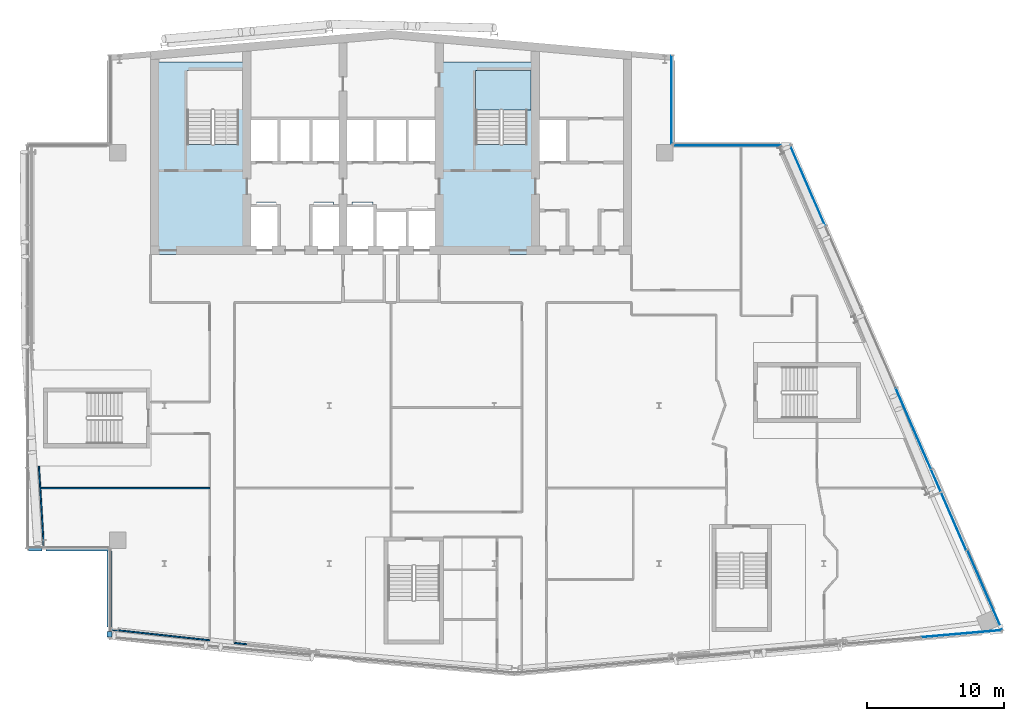
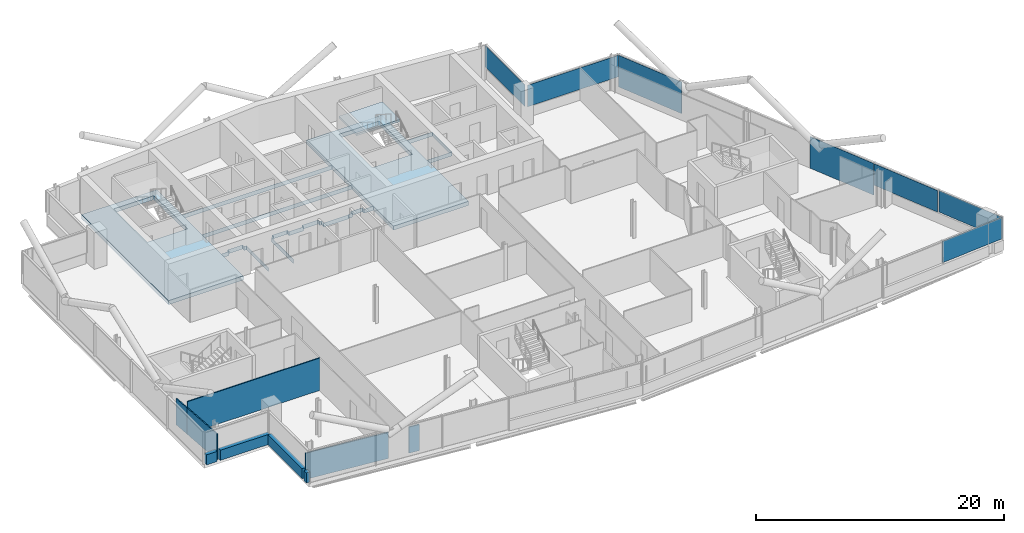
# One storey, part 14 of 28: 9 walls, 7 plates, 2 slabs, 5 elements without a shape of their own.
"""IFC4 building model written with IfcOpenShell, lengths in metres."""

import ifcopenshell
import ifcopenshell.guid

model = None  # the IFC model being written
_history = None  # IfcOwnerHistory: only IFC2X3 demands one
_inside = {}  # id of a spatial element -> (the spatial element, [elements in it])
_under = {}  # id of a project, library or spatial element -> (it, [spatial elements below it])
_declared = {}  # id of a project -> (the project, [libraries it declares])
_typed = {}  # id of a type object -> (the type object, [elements of that type])
_made_of = {}  # id of a material, layer set ... -> (it, [elements and type objects made of it])


def new_model(schema):
    """Start an empty IFC model of exactly this schema.

    Asked for "IFC4X3", IfcOpenShell would pick the latest addendum, in which some entities
    have other attributes; the version numbers below select the first issue.
    IFC2X3 requires an IfcOwnerHistory on every rooted entity: one is made here for all.
    """
    global model, _history
    if schema == "IFC4X3":
        model = ifcopenshell.file(schema_version=(4, 3, 0, 0))
    else:
        model = ifcopenshell.file(schema=schema)
    _inside.clear()
    _under.clear()
    _declared.clear()
    _typed.clear()
    _made_of.clear()
    _history = None
    if model.schema == "IFC2X3":
        org = make("IfcOrganization", Name="unknown")
        user = make(
            "IfcPersonAndOrganization",
            ThePerson=make("IfcPerson", FamilyName="unknown"),
            TheOrganization=org,
        )
        app = make(
            "IfcApplication",
            ApplicationDeveloper=org,
            Version="unknown",
            ApplicationFullName="unknown",
            ApplicationIdentifier="unknown",
        )
        _history = make(
            "IfcOwnerHistory",
            OwningUser=user,
            OwningApplication=app,
            ChangeAction="ADDED",
            CreationDate=0,
        )
    return model


def make(cls, **values):
    """One entity of the class cls with the attributes given. An attribute that is None is left unset."""
    return model.create_entity(
        cls, **{name: value for name, value in values.items() if value is not None}
    )


def rooted(cls, **values):
    """An entity with a GlobalId (a new one), such as an element, a storey or a relation."""
    return make(cls, GlobalId=ifcopenshell.guid.new(), OwnerHistory=_history, **values)


def si_unit(unit_type, name, prefix=None):
    """IfcSIUnit, for example si_unit("LENGTHUNIT", "METRE", prefix="MILLI")."""
    return make("IfcSIUnit", UnitType=unit_type, Prefix=prefix, Name=name)


def assignment(units):
    """IfcUnitAssignment: the units of a project."""
    return None if units is None else make("IfcUnitAssignment", Units=units)


def point(xyz):
    """IfcCartesianPoint."""
    return None if xyz is None else make("IfcCartesianPoint", Coordinates=xyz)


def direction(xyz):
    """IfcDirection."""
    return None if xyz is None else make("IfcDirection", DirectionRatios=xyz)


def frame(location, z_axis=None, x_axis=None):
    """IfcAxis2Placement3D, a coordinate frame: its origin and axes. An axis left out is left unset."""
    return make(
        "IfcAxis2Placement3D",
        Location=point(location),
        Axis=direction(z_axis),
        RefDirection=direction(x_axis),
    )


def frame_2d(location, x_axis=None):
    """IfcAxis2Placement2D, a coordinate frame in the plane: its origin and x axis."""
    return make(
        "IfcAxis2Placement2D", Location=point(location), RefDirection=direction(x_axis)
    )


def origin():
    """The frame at (0, 0, 0) with its axes left unset."""
    return frame((0.0, 0.0, 0.0))


def origin_2d():
    """The frame at (0, 0) in the plane with its x axis left unset."""
    return frame_2d((0.0, 0.0))


def place(relative_to, where):
    """IfcLocalPlacement: puts the frame where relative to a parent placement (None: the world)."""
    return make(
        "IfcLocalPlacement", PlacementRelTo=relative_to, RelativePlacement=where
    )


def context(
    kind, dimensions, precision=None, world=None, true_north=None, identifier=None
):
    """IfcGeometricRepresentationContext, for example the 3D "Model" context."""
    return make(
        "IfcGeometricRepresentationContext",
        ContextIdentifier=identifier,
        ContextType=kind,
        CoordinateSpaceDimension=dimensions,
        Precision=precision,
        WorldCoordinateSystem=world,
        TrueNorth=true_north,
    )


def subcontext(parent, identifier, kind, view, scale=None):
    """IfcGeometricRepresentationSubContext, for example "Body" below "Model"."""
    return make(
        "IfcGeometricRepresentationSubContext",
        ContextIdentifier=identifier,
        ContextType=kind,
        ParentContext=parent,
        TargetScale=scale,
        TargetView=view,
    )


def project(units=None, contexts=None):
    """IfcProject with its units and contexts."""
    return rooted(
        "IfcProject",
        Name="project",
        RepresentationContexts=contexts,
        UnitsInContext=assignment(units),
    )


def spatial(cls, under=None, at=None, **own):
    """A site, building, storey or space (cls), placed at a placement, below another one or the project."""
    s = rooted(cls, ObjectPlacement=at, **own)
    if under is not None:
        _under.setdefault(under.id(), (under, []))[1].append(s)
    return s


def polyline(points):
    """IfcPolyline through the points."""
    return make("IfcPolyline", Points=[point(p) for p in points])


def profile(cls, at=None, kind="AREA", **sizes):
    """A parametric profile (cls). Its sizes go by their IFC names, for example OverallWidth=200.0."""
    return make(cls, ProfileType=kind, Position=at, **sizes)


def rectangle(**sizes):
    """IfcRectangleProfileDef."""
    return profile("IfcRectangleProfileDef", **sizes)


def outline(outer, holes=None, kind="AREA"):
    """IfcArbitraryClosedProfileDef: a profile drawn as a closed curve; with holes, ...WithVoids."""
    if holes is None:
        return make("IfcArbitraryClosedProfileDef", ProfileType=kind, OuterCurve=outer)
    return make(
        "IfcArbitraryProfileDefWithVoids",
        ProfileType=kind,
        OuterCurve=outer,
        InnerCurves=holes,
    )


def extrude(swept, where, along, depth):
    """IfcExtrudedAreaSolid: the profile swept, set in the frame where, extruded along a direction by depth."""
    return make(
        "IfcExtrudedAreaSolid",
        SweptArea=swept,
        Position=where,
        ExtrudedDirection=direction(along),
        Depth=depth,
    )


def shape(context_of_items, identifier, shape_type, items):
    """IfcShapeRepresentation: the items that make up one representation, for example the "Body"."""
    return make(
        "IfcShapeRepresentation",
        ContextOfItems=context_of_items,
        RepresentationIdentifier=identifier,
        RepresentationType=shape_type,
        Items=items,
    )


def material(Name=None, Category=None):
    """IfcMaterial."""
    return make("IfcMaterial", Name=Name, Category=Category)


def layer(
    of_material, thickness, ventilated=None, Name=None, Category=None, Priority=None
):
    """IfcMaterialLayer: one layer of a wall or slab, of a material (None: an air gap)."""
    return make(
        "IfcMaterialLayer",
        Material=of_material,
        LayerThickness=thickness,
        IsVentilated=ventilated,
        Name=Name,
        Category=Category,
        Priority=Priority,
    )


def layer_set(layers, Name=None):
    """IfcMaterialLayerSet."""
    return make("IfcMaterialLayerSet", MaterialLayers=layers, LayerSetName=Name)


def made_of(thing, what):
    """Note that an element or type object is made of a material, layer set ...; save() writes the relation."""
    if what is not None:
        _made_of.setdefault(what.id(), (what, []))[1].append(thing)
    return thing


def type_object(cls, material=None, **own):
    """A type object (cls), such as IfcWallType, which elements share."""
    return made_of(rooted(cls, **own), material)


def element(
    cls,
    number,
    at=None,
    inside=None,
    cuts=None,
    type_object=None,
    material=None,
    context=None,
    identifier="Body",
    shape_type=None,
    held_by="IfcProductDefinitionShape",
    body=None,
    shapes=None,
    **own,
):
    """One element of the class cls, such as IfcWall. Its Tag is "e" and its number.

    at: its placement. inside: the storey or other place that contains it. cuts: it is an
    opening in that element (IfcRelVoidsElement). A single representation is given by context,
    identifier, shape_type and body (its items); several are given by shapes. held_by: the class
    of the entity that holds the representations. save() writes the other relations.
    """
    e = rooted(cls, Tag="e%d" % number, ObjectPlacement=at, **own)
    if body is not None:
        shapes = [shape(context, identifier, shape_type, body)]
    if shapes is not None:
        e.Representation = make(held_by, Representations=shapes)
    if inside is not None:
        _inside.setdefault(inside.id(), (inside, []))[1].append(e)
    if cuts is not None:
        rooted(
            "IfcRelVoidsElement", RelatingBuildingElement=cuts, RelatedOpeningElement=e
        )
    if type_object is not None:
        _typed.setdefault(type_object.id(), (type_object, []))[1].append(e)
    return made_of(e, material)


def aggregate(whole, parts):
    """IfcRelAggregates: a whole, such as a stair, and the parts it consists of."""
    return rooted("IfcRelAggregates", RelatingObject=whole, RelatedObjects=parts)


def save(model, path):
    """Write the relations noted so far, then the file.

    IfcRelAggregates (storeys below a building ...), IfcRelContainedInSpatialStructure (elements
    in a storey), IfcRelDefinesByType, IfcRelAssociatesMaterial and IfcRelDeclares: one each for
    every whole, place, type object, material and project.
    """
    for whole, parts in _under.values():
        aggregate(whole, parts)
    for where, things in _inside.values():
        rooted(
            "IfcRelContainedInSpatialStructure",
            RelatedElements=things,
            RelatingStructure=where,
        )
    for kind, things in _typed.values():
        rooted("IfcRelDefinesByType", RelatedObjects=things, RelatingType=kind)
    for what, things in _made_of.values():
        rooted("IfcRelAssociatesMaterial", RelatedObjects=things, RelatingMaterial=what)
    for by, libraries in _declared.values():
        rooted("IfcRelDeclares", RelatingContext=by, RelatedDefinitions=libraries)
    model.write(path)


model = new_model("IFC4")

# Units and contexts
model_context = context("Model", 3, precision=1e-05, world=origin(), true_north=direction((0.0, 1.0)))
body_context = subcontext(model_context, "Body", "Model", "MODEL_VIEW")
ifc_project = project(units=[si_unit("LENGTHUNIT", "METRE"), si_unit("AREAUNIT", "SQUARE_METRE"), si_unit("VOLUMEUNIT", "CUBIC_METRE"), si_unit("PLANEANGLEUNIT", "RADIAN"), si_unit("MASSUNIT", "GRAM", prefix="KILO")], contexts=[model_context])

# Site, building, storey
site_placement = place(None, origin())
site = spatial("IfcSite", under=ifc_project, at=site_placement, CompositionType="ELEMENT")
building_placement = place(site_placement, origin())
building = spatial("IfcBuilding", under=site, at=building_placement, Name="Wharfspan Tower", CompositionType="ELEMENT")
storey_placement = place(building_placement, frame((0.0, 0.0, 253.899902)))
storey = spatial("IfcBuildingStorey", under=building, at=storey_placement, Name="L64", CompositionType="ELEMENT", Elevation=253.899902)

# Curtain wall, plate
ifc_material_1 = material(Name="Aluminium 6063-T6", Category="aluminium")
curtain_wall_type_1 = type_object("IfcCurtainWallType", Name="CURTAIN WALL FACETED FRONT", PredefinedType="NOTDEFINED", material=ifc_material_1)
curtain_wall_1_placement = place(storey_placement, origin())
curtain_wall_1 = element("IfcCurtainWall", 1, at=curtain_wall_1_placement, inside=storey, type_object=curtain_wall_type_1, Name="Curtain wall S2", PredefinedType="NOTDEFINED")
ifc_material_2 = material(Name="Glass clear low-iron double glazing", Category="glass")
ifc_layer_1 = layer(ifc_material_2, 0.040039)
ifc_layer_set_1 = layer_set([ifc_layer_1], Name="Glass clear low-iron double glazing")
plate_type_1 = type_object("IfcPlateType", Name="GLASS PANEL FACETED FRONT 40", PredefinedType="CURTAIN_PANEL", material=ifc_layer_set_1)
plate_1_placement = place(storey_placement, frame((82.021484, 6.399658, 1.0), z_axis=(0.0, 0.0, 1.0), x_axis=(0.996197, 0.087156, 0.0)))
plate_1 = element("IfcPlate", 2, at=plate_1_placement, type_object=plate_type_1, Name="Curtain wall S2 panel 6", PredefinedType="CURTAIN_PANEL", context=body_context, shape_type="SweptSolid", body=[
    extrude(rectangle(XDim=5.849365, YDim=0.040039, at=origin_2d()), origin(), (0.0, 0.0, 1.0), 2.120117),
])
aggregate(curtain_wall_1, [plate_1])

# Curtain wall, plates
curtain_wall_type_2 = type_object("IfcCurtainWallType", Name="CURTAIN WALL PROW AND END", PredefinedType="NOTDEFINED", material=ifc_material_1)
curtain_wall_2_placement = place(storey_placement, origin())
curtain_wall_2 = element("IfcCurtainWall", 3, at=curtain_wall_2_placement, inside=storey, type_object=curtain_wall_type_2, Name="Curtain wall E", PredefinedType="NOTDEFINED")
ifc_layer_2 = layer(ifc_material_2, 0.040039)
ifc_layer_set_2 = layer_set([ifc_layer_2], Name="Glass clear low-iron double glazing")
plate_type_2 = type_object("IfcPlateType", Name="GLASS PANEL PROW AND END 40", PredefinedType="CURTAIN_PANEL", material=ifc_layer_set_2)
plate_2_placement = place(storey_placement, frame((83.711426, 9.563721, 1.0), z_axis=(0.0, 0.0, 1.0), x_axis=(-0.398727, 0.917072, 0.0)))
plate_2 = element("IfcPlate", 4, at=plate_2_placement, type_object=plate_type_2, Name="Curtain wall E panel 1", PredefinedType="CURTAIN_PANEL", context=body_context, shape_type="SweptSolid", body=[
    extrude(rectangle(XDim=6.343506, YDim=0.040039, at=origin_2d()), origin(), (0.0, 0.0, 1.0), 2.120117),
])
plate_3_placement = place(storey_placement, frame((81.078857, 15.418213, 1.0), z_axis=(0.0, 0.0, 1.0), x_axis=(-0.398727, 0.917072, 0.0)))
plate_3 = element("IfcPlate", 5, at=plate_3_placement, type_object=plate_type_2, Name="Curtain wall E panel 2", PredefinedType="CURTAIN_PANEL", context=body_context, shape_type="SweptSolid", body=[
    extrude(rectangle(XDim=6.373535, YDim=0.040039, at=origin_2d()), origin(), (0.0, 0.0, 1.0), 2.120117),
])

# Curtain wall, plate
curtain_wall_3_placement = place(storey_placement, origin())
curtain_wall_3 = element("IfcCurtainWall", 6, at=curtain_wall_3_placement, inside=storey, type_object=curtain_wall_type_2, Name="Curtain wall NRE-H", PredefinedType="NOTDEFINED")
plate_4_placement = place(storey_placement, frame((65.304443, 41.919922, 1.0), z_axis=(0.0, 0.0, 1.0), x_axis=(-1.0, 0.0, 0.0)))
plate_4 = element("IfcPlate", 7, at=plate_4_placement, type_object=plate_type_2, Name="Curtain wall NRE-H panel 1", PredefinedType="CURTAIN_PANEL", context=body_context, shape_type="SweptSolid", body=[
    extrude(rectangle(XDim=8.48877, YDim=0.040039, at=origin_2d()), origin(), (0.0, 0.0, 1.0), 2.120117),
])
aggregate(curtain_wall_3, [plate_4])

curtain_wall_4_placement = place(storey_placement, origin())
curtain_wall_4 = element("IfcCurtainWall", 8, at=curtain_wall_4_placement, inside=storey, type_object=curtain_wall_type_2, Name="Curtain wall NRE-V", PredefinedType="NOTDEFINED")
plate_5_placement = place(storey_placement, frame((60.919922, 45.262451, 1.0), z_axis=(0.0, 0.0, 1.0), x_axis=(0.0, 1.0, 0.0)))
plate_5 = element("IfcPlate", 9, at=plate_5_placement, type_object=plate_type_2, Name="Curtain wall NRE-V panel 1", PredefinedType="CURTAIN_PANEL", context=body_context, shape_type="SweptSolid", body=[
    extrude(rectangle(XDim=6.405029, YDim=0.040039, at=origin_2d()), origin(), (0.0, 0.0, 1.0), 2.120117),
])
aggregate(curtain_wall_4, [plate_5])

# Plate
ifc_material_3 = material(Name="Aluminium composite opaque insulated panel", Category="aluminium")
ifc_layer_3 = layer(ifc_material_3, 0.040039)
ifc_layer_set_3 = layer_set([ifc_layer_3], Name="Aluminium composite opaque insulated panel")
plate_type_3 = type_object("IfcPlateType", Name="INFILL PANEL PROW AND END OPAQUE 40", PredefinedType="SHEET", material=ifc_layer_set_3)
plate_6_placement = place(storey_placement, frame((78.513672, 21.318115, 0.0), z_axis=(0.0, 0.0, 1.0), x_axis=(-0.398727, 0.917072, 0.0)))
plate_6 = element("IfcPlate", 10, at=plate_6_placement, type_object=plate_type_3, Name="Curtain wall E panel 3", PredefinedType="SHEET", context=body_context, shape_type="SweptSolid", body=[
    extrude(rectangle(XDim=6.373535, YDim=0.040039, at=origin_2d()), origin(), (0.0, 0.0, 1.0), 3.120117),
])

plate_7_placement = place(storey_placement, frame((70.823975, 39.004395, 0.0), z_axis=(0.0, 0.0, 1.0), x_axis=(-0.398727, 0.917072, 0.0)))
plate_7 = element("IfcPlate", 11, at=plate_7_placement, type_object=plate_type_3, Name="Curtain wall E panel 6", PredefinedType="SHEET", context=body_context, shape_type="SweptSolid", body=[
    extrude(rectangle(XDim=6.343506, YDim=0.040039, at=origin_2d()), origin(), (0.0, 0.0, 1.0), 3.120117),
])

aggregate(curtain_wall_2, [plate_2, plate_3, plate_6, plate_7])

# Slab
ifc_material_4 = material(Name="Concrete C40/50", Category="concrete")
ifc_layer_4 = layer(ifc_material_4, 0.399902)
ifc_layer_set_4 = layer_set([ifc_layer_4], Name="Concrete C40/50")
slab_type_1 = type_object("IfcSlabType", Name="Post-tensioned flat slab 400", PredefinedType="FLOOR", material=ifc_layer_set_4)
slab_1_placement = place(storey_placement, frame((0.0, 0.0, -0.400146)))
element("IfcSlab", 12, at=slab_1_placement, inside=storey, type_object=slab_type_1, Name="Core floor slab L64 part 2", PredefinedType="FLOOR", context=body_context, shape_type="SweptSolid", body=[
    extrude(outline(polyline([(23.0, 34.0), (29.998047, 34.0), (29.998047, 37.550049), (29.998047, 37.550293), (29.998047, 37.550293), (29.998047, 37.550537), (29.998291, 37.550781), (29.998291, 37.550781), (29.998291, 37.551025), (29.998535, 37.55127), (29.998535, 37.551514), (29.998779, 37.551514), (29.998779, 37.551758), (29.999023, 37.551758), (29.999268, 37.551758), (29.999512, 37.552002), (29.999512, 37.552002), (29.999756, 37.552002), (30.0, 37.552002), (30.7146, 37.552002), (30.7146, 37.800049), (30.7146, 37.800293), (30.7146, 37.800293), (30.714844, 37.800537), (30.714844, 37.800781), (30.714844, 37.800781), (30.715088, 37.801025), (30.715088, 37.80127), (30.715332, 37.801514), (30.715332, 37.801514), (30.715576, 37.801758), (30.71582, 37.801758), (30.71582, 37.801758), (30.716064, 37.802002), (30.716309, 37.802002), (30.716553, 37.802002), (30.716797, 37.802002), (32.116699, 37.802002), (32.116943, 37.802002), (32.117188, 37.802002), (32.117188, 37.802002), (32.117432, 37.801758), (32.117676, 37.801758), (32.11792, 37.801758), (32.11792, 37.801514), (32.118164, 37.801514), (32.118164, 37.80127), (32.118408, 37.801025), (32.118408, 37.800781), (32.118408, 37.800781), (32.118652, 37.800537), (32.118652, 37.800293), (32.118652, 37.800293), (32.118652, 37.800049), (32.118652, 37.552002), (32.333252, 37.552002), (32.333496, 37.552002), (32.33374, 37.552002), (32.333984, 37.552002), (32.333984, 37.551758), (32.334229, 37.551758), (32.334473, 37.551758), (32.334717, 37.551514), (32.334717, 37.551514), (32.334961, 37.55127), (32.334961, 37.551025), (32.335205, 37.550781), (32.335205, 37.550781), (32.335205, 37.550537), (32.335205, 37.550293), (32.335205, 37.550293), (32.335205, 37.550049), (32.335205, 34.0), (32.341309, 34.0), (32.341309, 37.558105), (32.126709, 37.558105), (32.126465, 37.558105), (32.126221, 37.558105), (32.126221, 37.558105), (32.125977, 37.558105), (32.125732, 37.558105), (32.125488, 37.55835), (32.125488, 37.558594), (32.125244, 37.558594), (32.125244, 37.558594), (32.125, 37.558838), (32.125, 37.559082), (32.125, 37.559082), (32.124756, 37.559326), (32.124756, 37.55957), (32.124756, 37.559814), (32.124756, 37.560059), (32.124756, 37.808105), (30.70874, 37.808105), (30.70874, 37.560059), (30.70874, 37.559814), (30.70874, 37.55957), (30.708496, 37.559326), (30.708496, 37.559082), (30.708496, 37.559082), (30.708496, 37.558838), (30.708252, 37.558594), (30.708008, 37.558594), (30.708008, 37.558594), (30.707764, 37.55835), (30.70752, 37.558105), (30.70752, 37.558105), (30.707275, 37.558105), (30.707031, 37.558105), (30.706787, 37.558105), (30.706787, 37.558105), (30.01001, 37.558105), (30.009766, 37.558105), (30.009521, 37.558105), (30.009521, 37.558105), (30.009277, 37.558105), (30.009033, 37.558105), (30.008789, 37.55835), (30.008789, 37.558594), (30.008545, 37.558594), (30.008545, 37.558594), (30.008301, 37.558838), (30.008301, 37.559082), (30.008301, 37.559082), (30.008057, 37.559326), (30.008057, 37.55957), (30.008057, 37.559814), (30.008057, 37.560059), (30.008057, 40.689941), (30.008057, 40.690186), (30.008057, 40.69043), (30.008057, 40.690674), (30.008301, 40.690918), (30.008301, 40.690918), (30.008301, 40.691162), (30.008545, 40.691406), (30.008545, 40.691406), (30.008789, 40.691406), (30.008789, 40.69165), (30.009033, 40.691895), (30.009277, 40.691895), (30.009521, 40.691895), (30.009521, 40.691895), (30.009766, 40.691895), (30.01001, 40.691895), (43.98999, 40.691895), (43.990234, 40.691895), (43.990479, 40.691895), (43.990479, 40.691895), (43.990723, 40.691895), (43.990967, 40.691895), (43.991211, 40.69165), (43.991211, 40.691406), (43.991455, 40.691406), (43.991455, 40.691406), (43.991699, 40.691162), (43.991699, 40.690918), (43.991699, 40.690918), (43.991943, 40.690674), (43.991943, 40.69043), (43.991943, 40.690186), (43.991943, 40.689941), (43.991943, 37.26001), (43.991943, 37.259766), (43.991943, 37.259521), (43.991943, 37.259521), (43.991699, 37.259277), (43.991699, 37.259033), (43.991699, 37.258789), (43.991455, 37.258789), (43.991455, 37.258545), (43.991211, 37.258545), (43.991211, 37.258301), (43.990967, 37.258301), (43.990723, 37.258301), (43.990479, 37.258057), (43.990479, 37.258057), (43.990234, 37.258057), (43.98999, 37.258057), (43.143311, 37.258057), (43.143066, 37.258057), (43.142822, 37.258057), (43.142578, 37.258057), (43.142578, 37.258301), (43.142334, 37.258301), (43.14209, 37.258301), (43.14209, 37.258545), (43.141846, 37.258545), (43.141846, 37.258789), (43.141602, 37.258789), (43.141602, 37.259033), (43.141602, 37.259277), (43.141357, 37.259521), (43.141357, 37.259521), (43.141357, 37.259766), (43.141357, 37.26001), (43.141357, 37.508057), (42.025391, 37.508057), (42.025391, 37.26001), (42.025391, 37.259766), (42.025391, 37.259521), (42.025146, 37.259521), (42.025146, 37.259277), (42.025146, 37.259033), (42.024902, 37.258789), (42.024902, 37.258789), (42.024658, 37.258545), (42.024658, 37.258545), (42.024414, 37.258301), (42.02417, 37.258301), (42.02417, 37.258301), (42.023926, 37.258057), (42.023682, 37.258057), (42.023438, 37.258057), (42.023193, 37.258057), (41.658691, 37.258057), (41.658691, 37.209961), (41.658691, 37.209717), (41.658691, 37.209717), (41.658691, 37.209473), (41.658447, 37.209229), (41.658447, 37.208984), (41.658447, 37.208984), (41.658203, 37.20874), (41.658203, 37.208496), (41.657959, 37.208496), (41.657715, 37.208252), (41.657715, 37.208252), (41.657471, 37.208252), (41.657227, 37.208008), (41.656982, 37.208008), (41.656982, 37.208008), (41.656738, 37.208008), (39.343262, 37.208008), (39.343018, 37.208008), (39.343018, 37.208008), (39.342773, 37.208008), (39.342529, 37.208252), (39.342285, 37.208252), (39.342285, 37.208252), (39.342041, 37.208496), (39.341797, 37.208496), (39.341797, 37.20874), (39.341553, 37.208984), (39.341553, 37.208984), (39.341553, 37.209229), (39.341309, 37.209473), (39.341309, 37.209717), (39.341309, 37.209717), (39.341309, 37.209961), (39.341309, 37.558105), (39.166748, 37.558105), (39.166504, 37.558105), (39.16626, 37.558105), (39.166016, 37.558105), (39.166016, 37.558105), (39.165771, 37.558105), (39.165527, 37.55835), (39.165283, 37.558594), (39.165283, 37.558594), (39.165283, 37.558594), (39.165039, 37.558838), (39.164795, 37.559082), (39.164795, 37.559082), (39.164795, 37.559326), (39.164795, 37.55957), (39.164795, 37.559814), (39.164795, 37.560059), (39.164795, 37.808105), (37.668701, 37.808105), (37.668701, 37.560059), (37.668701, 37.559814), (37.668701, 37.55957), (37.668701, 37.559326), (37.668457, 37.559082), (37.668457, 37.559082), (37.668457, 37.558838), (37.668213, 37.558594), (37.668213, 37.558594), (37.667969, 37.558594), (37.667725, 37.55835), (37.66748, 37.558105), (37.66748, 37.558105), (37.667236, 37.558105), (37.666992, 37.558105), (37.666992, 37.558105), (37.666748, 37.558105), (36.293213, 37.558105), (36.293213, 37.558105), (36.292969, 37.558105), (36.292725, 37.558105), (36.29248, 37.558105), (36.29248, 37.558105), (36.292236, 37.55835), (36.291992, 37.558594), (36.291992, 37.558594), (36.291748, 37.558594), (36.291504, 37.558838), (36.291504, 37.559082), (36.291504, 37.559082), (36.291504, 37.559326), (36.29126, 37.55957), (36.29126, 37.559814), (36.29126, 37.560059), (36.29126, 37.808105), (34.875244, 37.808105), (34.875244, 37.560059), (34.875244, 37.559814), (34.875244, 37.55957), (34.875244, 37.559326), (34.875, 37.559082), (34.875, 37.559082), (34.875, 37.558838), (34.874756, 37.558594), (34.874756, 37.558594), (34.874512, 37.558594), (34.874512, 37.55835), (34.874268, 37.558105), (34.874023, 37.558105), (34.873779, 37.558105), (34.873779, 37.558105), (34.873535, 37.558105), (34.873291, 37.558105), (34.658691, 37.558105), (34.658691, 34.0), (34.664795, 34.0), (34.664795, 37.550049), (34.664795, 37.550293), (34.664795, 37.550293), (34.664795, 37.550537), (34.664795, 37.550781), (34.664795, 37.550781), (34.665039, 37.551025), (34.665039, 37.55127), (34.665283, 37.551514), (34.665283, 37.551514), (34.665527, 37.551758), (34.665771, 37.551758), (34.666016, 37.551758), (34.666016, 37.552002), (34.66626, 37.552002), (34.666504, 37.552002), (34.666748, 37.552002), (34.881348, 37.552002), (34.881348, 37.800049), (34.881348, 37.800293), (34.881348, 37.800293), (34.881348, 37.800537), (34.881592, 37.800781), (34.881592, 37.800781), (34.881592, 37.801025), (34.881836, 37.80127), (34.881836, 37.801514), (34.88208, 37.801514), (34.88208, 37.801758), (34.882324, 37.801758), (34.882568, 37.801758), (34.882812, 37.802002), (34.882812, 37.802002), (34.883057, 37.802002), (34.883301, 37.802002), (36.283203, 37.802002), (36.283447, 37.802002), (36.283691, 37.802002), (36.283936, 37.802002), (36.28418, 37.801758), (36.28418, 37.801758), (36.284424, 37.801758), (36.284668, 37.801514), (36.284668, 37.801514), (36.284912, 37.80127), (36.284912, 37.801025), (36.285156, 37.800781), (36.285156, 37.800781), (36.285156, 37.800537), (36.2854, 37.800293), (36.2854, 37.800293), (36.2854, 37.800049), (36.2854, 37.552002), (37.674805, 37.552002), (37.674805, 37.800049), (37.674805, 37.800293), (37.674805, 37.800293), (37.674805, 37.800537), (37.674805, 37.800781), (37.674805, 37.800781), (37.675049, 37.801025), (37.675049, 37.80127), (37.675293, 37.801514), (37.675293, 37.801514), (37.675537, 37.801758), (37.675781, 37.801758), (37.675781, 37.801758), (37.676025, 37.802002), (37.67627, 37.802002), (37.676514, 37.802002), (37.676758, 37.802002), (39.156738, 37.802002), (39.156982, 37.802002), (39.156982, 37.802002), (39.157227, 37.802002), (39.157471, 37.801758), (39.157715, 37.801758), (39.157715, 37.801758), (39.157959, 37.801514), (39.158203, 37.801514), (39.158203, 37.80127), (39.158203, 37.801025), (39.158447, 37.800781), (39.158447, 37.800781), (39.158691, 37.800537), (39.158691, 37.800293), (39.158691, 37.800293), (39.158691, 37.800049), (39.158691, 37.552002), (39.333252, 37.552002), (39.333496, 37.552002), (39.33374, 37.552002), (39.333984, 37.552002), (39.333984, 37.551758), (39.334229, 37.551758), (39.334473, 37.551758), (39.334717, 37.551514), (39.334717, 37.551514), (39.334961, 37.55127), (39.334961, 37.551025), (39.335205, 37.550781), (39.335205, 37.550781), (39.335205, 37.550537), (39.335205, 37.550293), (39.335205, 37.550293), (39.335205, 37.550049), (39.335205, 37.201904), (41.664795, 37.201904), (41.664795, 37.25), (41.664795, 37.250244), (41.664795, 37.250488), (41.664795, 37.250488), (41.664795, 37.250732), (41.664795, 37.250977), (41.665039, 37.251221), (41.665039, 37.251221), (41.665283, 37.251465), (41.665283, 37.251465), (41.665527, 37.251709), (41.665771, 37.251709), (41.666016, 37.251709), (41.666016, 37.251953), (41.66626, 37.251953), (41.666504, 37.251953), (41.666748, 37.251953), (42.03125, 37.251953), (42.03125, 37.5), (42.03125, 37.500244), (42.031494, 37.500488), (42.031494, 37.500488), (42.031494, 37.500732), (42.031494, 37.500977), (42.031738, 37.501221), (42.031738, 37.501221), (42.031982, 37.501465), (42.031982, 37.501465), (42.032227, 37.501709), (42.032471, 37.501709), (42.032715, 37.501709), (42.032715, 37.501953), (42.032959, 37.501953), (42.033203, 37.501953), (42.033203, 37.501953), (43.133301, 37.501953), (43.133545, 37.501953), (43.133789, 37.501953), (43.133789, 37.501953), (43.134033, 37.501709), (43.134277, 37.501709), (43.134521, 37.501709), (43.134521, 37.501465), (43.134766, 37.501465), (43.13501, 37.501221), (43.13501, 37.501221), (43.13501, 37.500977), (43.135254, 37.500732), (43.135254, 37.500488), (43.135254, 37.500488), (43.135254, 37.500244), (43.135254, 37.5), (43.135254, 37.251953), (44.0, 37.251953), (44.000244, 37.251953), (44.000488, 37.251953), (44.000488, 37.251953), (44.000732, 37.251709), (44.000977, 37.251709), (44.001221, 37.251709), (44.001221, 37.251465), (44.001465, 37.251465), (44.001465, 37.251221), (44.001709, 37.251221), (44.001709, 37.250977), (44.001709, 37.250732), (44.001953, 37.250488), (44.001953, 37.250488), (44.001953, 37.250244), (44.001953, 37.25), (44.001953, 34.0), (51.0, 34.0), (51.008057, 34.0), (51.008057, 40.689941), (51.008057, 40.690186), (51.008057, 40.69043), (51.008057, 40.690674), (51.008301, 40.690918), (51.008301, 40.690918), (51.008301, 40.691162), (51.008545, 40.691406), (51.008545, 40.691406), (51.008789, 40.691406), (51.008789, 40.69165), (51.009033, 40.691895), (51.009277, 40.691895), (51.009521, 40.691895), (51.009521, 40.691895), (51.009766, 40.691895), (51.01001, 40.691895), (53.341309, 40.691895), (53.341309, 43.907959), (51.01001, 43.907959), (51.009766, 43.907959), (51.009521, 43.907959), (51.009521, 43.908203), (51.009277, 43.908203), (51.009033, 43.908203), (51.008789, 43.908203), (51.008789, 43.908447), (51.008545, 43.908691), (51.008545, 43.908691), (51.008301, 43.908936), (51.008301, 43.90918), (51.008301, 43.90918), (51.008057, 43.909424), (51.008057, 43.909668), (51.008057, 43.909912), (51.008057, 43.909912), (51.008057, 48.008057), (43.991943, 48.008057), (43.991943, 43.909912), (43.991943, 43.909912), (43.991943, 43.909668), (43.991943, 43.909424), (43.991699, 43.90918), (43.991699, 43.90918), (43.991699, 43.908936), (43.991455, 43.908691), (43.991455, 43.908691), (43.991211, 43.908447), (43.991211, 43.908203), (43.990967, 43.908203), (43.990723, 43.908203), (43.990479, 43.908203), (43.990479, 43.907959), (43.990234, 43.907959), (43.98999, 43.907959), (30.01001, 43.907959), (30.009766, 43.907959), (30.009521, 43.907959), (30.009521, 43.908203), (30.009277, 43.908203), (30.009033, 43.908203), (30.008789, 43.908203), (30.008789, 43.908447), (30.008545, 43.908691), (30.008545, 43.908691), (30.008301, 43.908936), (30.008301, 43.90918), (30.008301, 43.90918), (30.008057, 43.909424), (30.008057, 43.909668), (30.008057, 43.909912), (30.008057, 43.909912), (30.008057, 48.008057), (23.0, 48.008057), (23.0, 48.0), (23.0, 34.0)]), holes=[polyline([(53.333252, 43.9021), (53.333496, 43.9021), (53.33374, 43.9021), (53.333984, 43.901855), (53.333984, 43.901855), (53.334229, 43.901855), (53.334473, 43.901611), (53.334717, 43.901611), (53.334717, 43.901367), (53.334961, 43.901367), (53.334961, 43.901123), (53.335205, 43.900879), (53.335205, 43.900879), (53.335205, 43.900635), (53.335205, 43.900391), (53.335205, 43.900146), (53.335205, 43.899902), (53.335205, 40.699951), (53.335205, 40.699707), (53.335205, 40.699707), (53.335205, 40.699463), (53.335205, 40.699219), (53.335205, 40.699219), (53.334961, 40.698975), (53.334961, 40.69873), (53.334717, 40.698486), (53.334717, 40.698486), (53.334473, 40.698242), (53.334229, 40.698242), (53.333984, 40.698242), (53.333984, 40.697998), (53.33374, 40.697998), (53.333496, 40.697998), (53.333252, 40.697998), (51.0, 40.697998), (50.999756, 40.697998), (50.999512, 40.697998), (50.999512, 40.697998), (50.999268, 40.698242), (50.999023, 40.698242), (50.998779, 40.698242), (50.998779, 40.698486), (50.998535, 40.698486), (50.998535, 40.69873), (50.998291, 40.698975), (50.998291, 40.699219), (50.998291, 40.699219), (50.998047, 40.699463), (50.998047, 40.699707), (50.998047, 40.699707), (50.998047, 40.699951), (50.998047, 43.899902), (50.998047, 43.900146), (50.998047, 43.900391), (50.998047, 43.900635), (50.998291, 43.900879), (50.998291, 43.900879), (50.998291, 43.901123), (50.998535, 43.901367), (50.998535, 43.901367), (50.998779, 43.901611), (50.998779, 43.901611), (50.999023, 43.901855), (50.999268, 43.901855), (50.999512, 43.901855), (50.999512, 43.9021), (50.999756, 43.9021), (51.0, 43.9021), (53.333252, 43.9021)]), polyline([(46.649902, 41.998047), (46.649902, 41.998047), (46.649658, 41.998047), (46.649414, 41.998047), (46.64917, 41.998291), (46.64917, 41.998291), (46.648926, 41.998291), (46.648682, 41.998535), (46.648682, 41.998535), (46.648438, 41.998779), (46.648193, 41.998779), (46.648193, 41.999023), (46.648193, 41.999268), (46.648193, 41.999512), (46.647949, 41.999512), (46.647949, 41.999756), (46.647949, 42.0), (46.647949, 47.399902), (46.647949, 47.400146), (46.647949, 47.400391), (46.648193, 47.400635), (46.648193, 47.400879), (46.648193, 47.400879), (46.648193, 47.401123), (46.648438, 47.401367), (46.648682, 47.401367), (46.648682, 47.401611), (46.648926, 47.401611), (46.64917, 47.401855), (46.64917, 47.401855), (46.649414, 47.401855), (46.649658, 47.4021), (46.649902, 47.4021), (46.649902, 47.4021), (50.399902, 47.4021), (50.400146, 47.4021), (50.400391, 47.4021), (50.400635, 47.401855), (50.400879, 47.401855), (50.400879, 47.401855), (50.401123, 47.401611), (50.401367, 47.401611), (50.401367, 47.401367), (50.401611, 47.401367), (50.401611, 47.401123), (50.401855, 47.400879), (50.401855, 47.400879), (50.401855, 47.400635), (50.4021, 47.400391), (50.4021, 47.400146), (50.4021, 47.399902), (50.4021, 42.0), (50.4021, 41.999756), (50.4021, 41.999512), (50.401855, 41.999512), (50.401855, 41.999268), (50.401855, 41.999023), (50.401611, 41.998779), (50.401611, 41.998779), (50.401367, 41.998535), (50.401367, 41.998535), (50.401123, 41.998291), (50.400879, 41.998291), (50.400879, 41.998291), (50.400635, 41.998047), (50.400391, 41.998047), (50.400146, 41.998047), (50.399902, 41.998047), (46.649902, 41.998047)]), polyline([(44.0, 43.9021), (44.000244, 43.9021), (44.000488, 43.9021), (44.000488, 43.901855), (44.000732, 43.901855), (44.000977, 43.901855), (44.001221, 43.901611), (44.001221, 43.901611), (44.001465, 43.901367), (44.001465, 43.901367), (44.001709, 43.901123), (44.001709, 43.900879), (44.001709, 43.900879), (44.001953, 43.900635), (44.001953, 43.900391), (44.001953, 43.900146), (44.001953, 43.899902), (44.001953, 40.699951), (44.001953, 40.699707), (44.001953, 40.699707), (44.001953, 40.699463), (44.001709, 40.699219), (44.001709, 40.699219), (44.001709, 40.698975), (44.001465, 40.69873), (44.001465, 40.698486), (44.001221, 40.698486), (44.001221, 40.698242), (44.000977, 40.698242), (44.000732, 40.698242), (44.000488, 40.697998), (44.000488, 40.697998), (44.000244, 40.697998), (44.0, 40.697998), (30.0, 40.697998), (29.999756, 40.697998), (29.999512, 40.697998), (29.999512, 40.697998), (29.999268, 40.698242), (29.999023, 40.698242), (29.998779, 40.698242), (29.998779, 40.698486), (29.998535, 40.698486), (29.998535, 40.69873), (29.998291, 40.698975), (29.998291, 40.699219), (29.998291, 40.699219), (29.998047, 40.699463), (29.998047, 40.699707), (29.998047, 40.699707), (29.998047, 40.699951), (29.998047, 43.899902), (29.998047, 43.900146), (29.998047, 43.900391), (29.998047, 43.900635), (29.998291, 43.900879), (29.998291, 43.900879), (29.998291, 43.901123), (29.998535, 43.901367), (29.998535, 43.901367), (29.998779, 43.901611), (29.998779, 43.901611), (29.999023, 43.901855), (29.999268, 43.901855), (29.999512, 43.901855), (29.999512, 43.9021), (29.999756, 43.9021), (30.0, 43.9021), (44.0, 43.9021)]), polyline([(29.4021, 42.0), (29.4021, 41.999756), (29.4021, 41.999512), (29.401855, 41.999512), (29.401855, 41.999268), (29.401855, 41.999023), (29.401611, 41.998779), (29.401611, 41.998779), (29.401367, 41.998535), (29.401367, 41.998535), (29.401123, 41.998291), (29.400879, 41.998291), (29.400879, 41.998291), (29.400635, 41.998047), (29.400391, 41.998047), (29.400146, 41.998047), (29.399902, 41.998047), (25.649902, 41.998047), (25.649902, 41.998047), (25.649658, 41.998047), (25.649414, 41.998047), (25.64917, 41.998291), (25.64917, 41.998291), (25.648926, 41.998291), (25.648682, 41.998535), (25.648682, 41.998535), (25.648438, 41.998779), (25.648193, 41.998779), (25.648193, 41.999023), (25.648193, 41.999268), (25.648193, 41.999512), (25.647949, 41.999512), (25.647949, 41.999756), (25.647949, 42.0), (25.647949, 47.399902), (25.647949, 47.400146), (25.647949, 47.400391), (25.648193, 47.400635), (25.648193, 47.400879), (25.648193, 47.400879), (25.648193, 47.401123), (25.648438, 47.401367), (25.648682, 47.401367), (25.648682, 47.401611), (25.648926, 47.401611), (25.64917, 47.401855), (25.64917, 47.401855), (25.649414, 47.401855), (25.649658, 47.4021), (25.649902, 47.4021), (25.649902, 47.4021), (29.399902, 47.4021), (29.400146, 47.4021), (29.400391, 47.4021), (29.400635, 47.401855), (29.400879, 47.401855), (29.400879, 47.401855), (29.401123, 47.401611), (29.401367, 47.401611), (29.401367, 47.401367), (29.401611, 47.401367), (29.401611, 47.401123), (29.401855, 47.400879), (29.401855, 47.400879), (29.401855, 47.400635), (29.4021, 47.400391), (29.4021, 47.400146), (29.4021, 47.399902), (29.4021, 42.0)])]), origin(), (0.0, 0.0, 1.0), 0.400146),
])

# Stair, slab
stair_type = type_object("IfcStairType", Name="Half-turn stair 20 risers 180 mm", PredefinedType="HALF_TURN_STAIR", material=ifc_material_4)
stair_placement = place(storey_placement, origin())
stair = element("IfcStair", 13, at=stair_placement, inside=storey, type_object=stair_type, Name="L64 stair ST2", PredefinedType="HALF_TURN_STAIR")
ifc_layer_5 = layer(ifc_material_4, 0.199951)
ifc_layer_set_5 = layer_set([ifc_layer_5], Name="Concrete C40/50")
slab_type_2 = type_object("IfcSlabType", Name="Stair landing 200", PredefinedType="LANDING", material=ifc_layer_set_5)
slab_2_placement = place(storey_placement, frame((0.0, 0.0, 1.599854)))
slab_2 = element("IfcSlab", 14, at=slab_2_placement, type_object=slab_type_2, Name="ST2 landing 1", PredefinedType="LANDING", context=body_context, shape_type="SweptSolid", body=[
    extrude(outline(polyline([(46.649902, 44.52002), (50.699951, 44.52002), (50.699951, 47.399902), (46.649902, 47.399902), (46.649902, 44.52002)])), origin(), (0.0, 0.0, 1.0), 0.200195),
])
aggregate(stair, [slab_2])

# Walls
ifc_material_5 = material(Name="Gypsum board on steel studs", Category="steel")
ifc_layer_6 = layer(ifc_material_5, 0.100098)
ifc_layer_set_6 = layer_set([ifc_layer_6], Name="Gypsum board on steel studs")
wall_type_1 = type_object("IfcWallType", Name="Compartment wall 100 EI 60", PredefinedType="PARTITIONING", material=ifc_layer_set_6)
wall_1_placement = place(storey_placement, frame((14.959961, 16.995117, 0.0), z_axis=(0.0, 0.0, 1.0), x_axis=(1.0, 0.0, 0.0)))
element("IfcWall", 15, at=wall_1_placement, inside=storey, type_object=wall_type_1, Name="Partition L64.w003", PredefinedType="PARTITIONING", context=body_context, shape_type="SweptSolid", body=[
    extrude(rectangle(XDim=12.340088, YDim=0.100098, at=frame_2d((6.169922, 0.0))), origin(), (0.0, 0.0, 1.0), 3.200195),
])
wall_2_placement = place(storey_placement, frame((27.300049, 5.919922, 0.0), z_axis=(0.0, 0.0, 1.0), x_axis=(-0.994192, 0.107591, 0.0)))
element("IfcWall", 16, at=wall_2_placement, inside=storey, type_object=wall_type_1, Name="Partition L64.w010", PredefinedType="PARTITIONING", context=body_context, shape_type="SweptSolid", body=[
    extrude(rectangle(XDim=7.32251, YDim=0.100098, at=frame_2d((3.661133, 0.0))), origin(), (0.0, 0.0, 1.0), 2.580078),
])
wall_3_placement = place(storey_placement, frame((30.0, 5.629883, 0.0), z_axis=(0.0, 0.0, 1.0), x_axis=(-0.994445, 0.105218, 0.0)))
element("IfcWall", 17, at=wall_3_placement, inside=storey, type_object=wall_type_1, Name="Partition L64.w016", PredefinedType="PARTITIONING", context=body_context, shape_type="SweptSolid", body=[
    extrude(rectangle(XDim=0.905029, YDim=0.100098, at=frame_2d((0.452637, 0.0))), origin(), (0.0, 0.0, 1.0), 2.580078),
])
ifc_layer_7 = layer(ifc_material_5, 0.100098)
ifc_layer_set_7 = layer_set([ifc_layer_7], Name="Gypsum board on steel studs")
wall_type_2 = type_object("IfcWallType", Name="Partition 100", PredefinedType="PARTITIONING", material=ifc_layer_set_7)
wall_4_placement = place(storey_placement, frame((14.959961, 17.0, 0.0), z_axis=(0.0, 0.0, 1.0), x_axis=(-0.062301, 0.998053, 0.0)))
element("IfcWall", 18, at=wall_4_placement, inside=storey, type_object=wall_type_2, Name="Partition L64.w004", PredefinedType="PARTITIONING", context=body_context, shape_type="SweptSolid", body=[
    extrude(rectangle(XDim=1.583252, YDim=0.100098, at=frame_2d((0.791504, 0.0))), origin(), (0.0, 0.0, 1.0), 2.580078),
])
wall_5_placement = place(storey_placement, frame((15.223877, 12.620117, 0.0), z_axis=(0.0, 0.0, 1.0), x_axis=(-0.060214, 0.998182, 0.0)))
element("IfcWall", 19, at=wall_5_placement, inside=storey, type_object=wall_type_2, Name="Partition L64.w005", PredefinedType="PARTITIONING", context=body_context, shape_type="SweptSolid", body=[
    extrude(rectangle(XDim=4.383057, YDim=0.100098, at=frame_2d((2.191406, 0.0))), origin(), (0.0, 0.0, 1.0), 2.580078),
])
ifc_layer_8 = layer(ifc_material_4, 0.350098)
ifc_layer_set_8 = layer_set([ifc_layer_8], Name="Concrete C40/50")
wall_type_3 = type_object("IfcWallType", Name="SPANDREL EXPOSED CONCRETE 350", PredefinedType="SOLIDWALL", material=ifc_layer_set_8)
wall_6_placement = place(storey_placement, frame((14.120117, 12.594971, 0.0), z_axis=(0.0, 0.0, 1.0), x_axis=(1.0, 0.0, 0.0)))
element("IfcWall", 20, at=wall_6_placement, inside=storey, type_object=wall_type_3, Name="Spandrel upstand L64 NFW-H", PredefinedType="SOLIDWALL", context=body_context, shape_type="SweptSolid", body=[
    extrude(rectangle(XDim=0.9646, YDim=0.350098, at=frame_2d((0.482422, 0.0))), origin(), (0.0, 0.0, 1.0), 1.0),
])
wall_7_placement = place(storey_placement, frame((15.390625, 12.594971, 0.0), z_axis=(0.0, 0.0, 1.0), x_axis=(1.0, 0.0, 0.0)))
element("IfcWall", 21, at=wall_7_placement, inside=storey, type_object=wall_type_3, Name="Spandrel upstand L64 NFW-H 2", PredefinedType="SOLIDWALL", context=body_context, shape_type="SweptSolid", body=[
    extrude(rectangle(XDim=4.609375, YDim=0.350098, at=frame_2d((2.304688, 0.0))), origin(), (0.0, 0.0, 1.0), 1.0),
])
wall_8_placement = place(storey_placement, frame((19.995117, 12.419922, 0.0), z_axis=(0.0, 0.0, 1.0), x_axis=(0.0, -1.0, 0.0)))
element("IfcWall", 22, at=wall_8_placement, inside=storey, type_object=wall_type_3, Name="Spandrel upstand L64 NFW-V", PredefinedType="SOLIDWALL", context=body_context, shape_type="SweptSolid", body=[
    extrude(rectangle(XDim=5.542236, YDim=0.350098, at=frame_2d((2.770996, 0.0))), origin(), (0.0, 0.0, 1.0), 1.0),
])
wall_9_placement = place(storey_placement, frame((19.995117, 6.568359, 0.0), z_axis=(0.0, 0.0, 1.0), x_axis=(0.0, -1.0, 0.0)))
element("IfcWall", 23, at=wall_9_placement, inside=storey, type_object=wall_type_3, Name="Spandrel upstand L64 NFW-V 2", PredefinedType="SOLIDWALL", context=body_context, shape_type="SweptSolid", body=[
    extrude(rectangle(XDim=0.393555, YDim=0.350098, at=frame_2d((0.196777, 0.0))), origin(), (0.0, 0.0, 1.0), 1.0),
])

save(model, "model.ifc")
